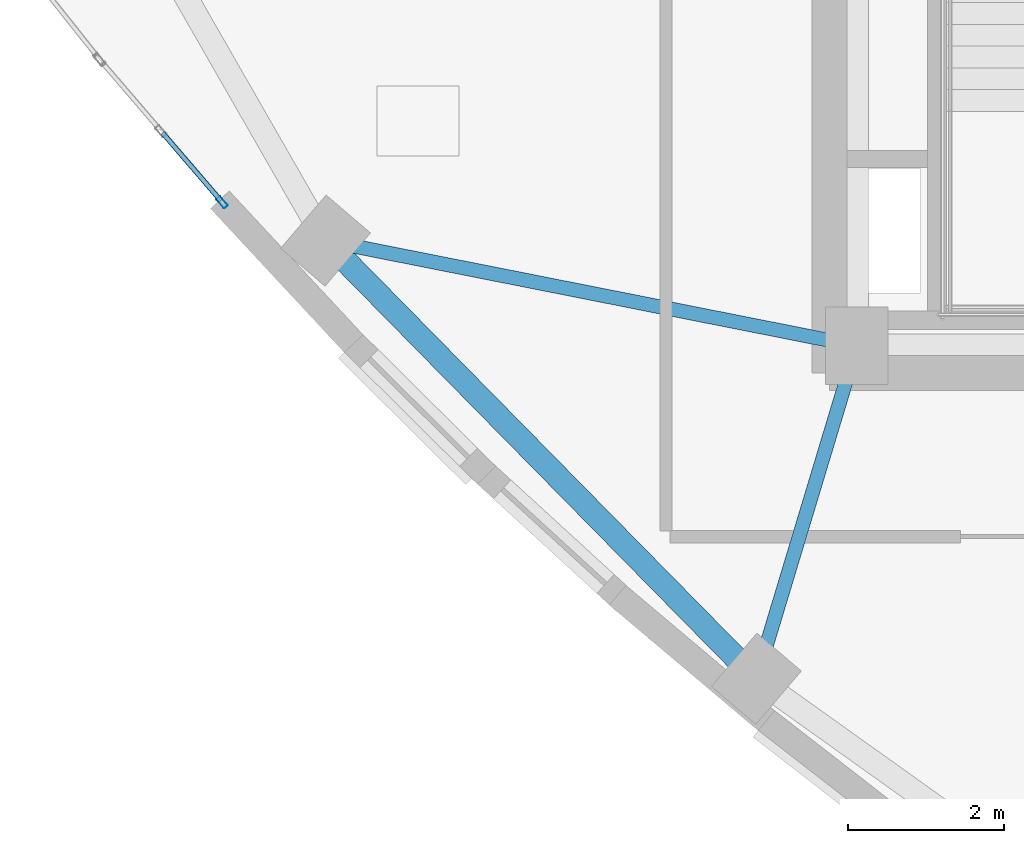
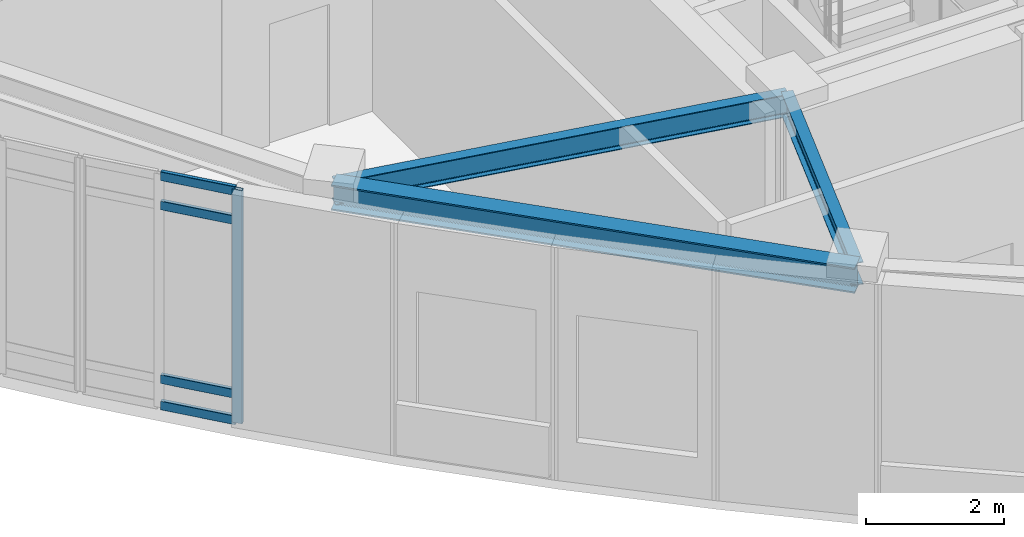
# One storey, part 2 of 19: 5 members, 3 beams, 1 element without a shape of its own.
"""IFC4 building model written with IfcOpenShell, lengths in metres."""

from ifc_helpers import new_model, si_unit, direction, frame, origin, origin_2d, place, context, subcontext, project, spatial, hollow_rectangle, i_section, extrude, material, layer, layer_set, material_profile, profile_set, type_object, element, aggregate, save


model = new_model("IFC4")

# Units and contexts
model_context = context("Model", 3, precision=1e-05, world=origin(), true_north=direction((0.0, 1.0)))
body_context = subcontext(model_context, "Body", "Model", "MODEL_VIEW")
ifc_project = project(units=[si_unit("LENGTHUNIT", "METRE"), si_unit("AREAUNIT", "SQUARE_METRE"), si_unit("VOLUMEUNIT", "CUBIC_METRE"), si_unit("PLANEANGLEUNIT", "RADIAN"), si_unit("MASSUNIT", "GRAM", prefix="KILO")], contexts=[model_context])

# Site, building, storey
site_placement = place(None, origin())
site = spatial("IfcSite", under=ifc_project, at=site_placement, CompositionType="ELEMENT")
building_placement = place(site_placement, origin())
building = spatial("IfcBuilding", under=site, at=building_placement, Name="Ndelora Gate Hotel", CompositionType="ELEMENT")
storey_placement = place(building_placement, frame((0.0, 0.0, 286.0)))
storey = spatial("IfcBuildingStorey", under=building, at=storey_placement, Name="L71", CompositionType="ELEMENT", Elevation=286.0)

# Beams
ifc_material_1 = material(Name="Steel S355", Category="steel")
ifc_material_profile_1 = material_profile(ifc_material_1, i_section(OverallWidth=0.179931640625, OverallDepth=0.39990234375, WebThickness=0.008544921875, FlangeThickness=0.013427734375, FilletRadius=0.02099609375, at=origin_2d()), Name="IPE 400")
ifc_profile_set_1 = profile_set([ifc_material_profile_1], Name="Steel S355")
beam_type_1 = type_object("IfcBeamType", Name="BM-RAD-400", PredefinedType="BEAM", material=ifc_profile_set_1)
beam_1_placement = place(storey_placement, frame((-8.0, -6.60009765625, 3.929931640625), z_axis=(-0.980943509294, 0.194293158846, 0.0), x_axis=(-0.194293158846, -0.980943509294, 0.0)))
element("IfcBeam", 1, at=beam_1_placement, inside=storey, type_object=beam_type_1, Name="L71 structural beam FB-5", PredefinedType="BEAM", context=body_context, shape_type="SweptSolid", body=[
    extrude(i_section(OverallWidth=0.179931640625, OverallDepth=0.39990234375, WebThickness=0.008544921875, FlangeThickness=0.013427734375, FilletRadius=0.02099609375, at=origin_2d()), origin(), (0.0, 0.0, 1.0), 6.955078125),
])
beam_2_placement = place(storey_placement, frame((-8.0, -6.60009765625, 3.929931640625), z_axis=(-0.288626468578, -0.957441779763, 0.0), x_axis=(0.957441779763, -0.288626468578, 0.0)))
element("IfcBeam", 2, at=beam_2_placement, inside=storey, type_object=beam_type_1, Name="L71 structural beam FB-5", PredefinedType="BEAM", context=body_context, shape_type="SweptSolid", body=[
    extrude(i_section(OverallWidth=0.179931640625, OverallDepth=0.39990234375, WebThickness=0.008544921875, FlangeThickness=0.013427734375, FilletRadius=0.02099609375, at=origin_2d()), origin(), (0.0, 0.0, 1.0), 4.46630859375),
])
ifc_material_profile_2 = material_profile(ifc_material_1, i_section(OverallWidth=0.300048828125, OverallDepth=0.449951171875, WebThickness=0.013916015625, FlangeThickness=0.02587890625, FilletRadius=0.027099609375, at=origin_2d()), Name="HEB 450")
ifc_profile_set_2 = profile_set([ifc_material_profile_2], Name="Steel S355")
beam_type_2 = type_object("IfcBeamType", Name="BM-RING-450", PredefinedType="SPANDREL", material=ifc_profile_set_2)
beam_3_placement = place(storey_placement, frame((-14.822509765625, -5.248779296875, 3.905029296875), z_axis=(0.701126845775, -0.713036567179, 0.0), x_axis=(0.713036567179, 0.701126845775, 0.0)))
element("IfcBeam", 3, at=beam_3_placement, inside=storey, type_object=beam_type_2, Name="L71 structural beam RB-5", PredefinedType="SPANDREL", context=body_context, shape_type="SweptSolid", body=[
    extrude(i_section(OverallWidth=0.300048828125, OverallDepth=0.449951171875, WebThickness=0.013916015625, FlangeThickness=0.02587890625, FilletRadius=0.027099609375, at=origin_2d()), origin(), (0.0, 0.0, 1.0), 7.892333984375),
])

# Curtain wall, members
ifc_material_2 = material(Name="Bronze Anodised Unitised Aluminium and Low-E Glass", Category="aluminium")
ifc_layer = layer(ifc_material_2, 0.219970703125)
ifc_layer_set = layer_set([ifc_layer], Name="Bronze Anodised Unitised Aluminium and Low-E Glass")
curtain_wall_type = type_object("IfcCurtainWallType", Name="CW-SYS-7", PredefinedType="NOTDEFINED", material=ifc_layer_set)
curtain_wall_placement = place(storey_placement, origin())
curtain_wall = element("IfcCurtainWall", 4, at=curtain_wall_placement, inside=storey, type_object=curtain_wall_type, Name="L71 West Peak Horizon Observatory Curtain Wall 2", PredefinedType="NOTDEFINED")
ifc_material_3 = material(Name="Bronze Anodised Aluminium 6063-T6", Category="aluminium")
ifc_material_profile_3 = material_profile(ifc_material_3, hollow_rectangle(XDim=0.06494140625, YDim=0.159912109375, WallThickness=0.00390625, InnerFilletRadius=0.00390625, OuterFilletRadius=0.008056640625, at=origin_2d()), Name="ALU 160x65x4")
ifc_profile_set_3 = profile_set([ifc_material_profile_3], Name="Bronze Anodised Aluminium 6063-T6")
member_type_1 = type_object("IfcMemberType", Name="MB-CW-MUL150", PredefinedType="MULLION", material=ifc_profile_set_3)
member_1_placement = place(storey_placement, frame((-16.151123046875, -4.755615234375, -0.00390625), z_axis=(0.0, 0.0, 1.0), x_axis=(0.75852990573, 0.651638229475, 0.0)))
member_1 = element("IfcMember", 5, at=member_1_placement, type_object=member_type_1, Name="CW7 mullion 3", PredefinedType="MULLION", context=body_context, shape_type="SweptSolid", body=[
    extrude(hollow_rectangle(XDim=0.06494140625, YDim=0.159912109375, WallThickness=0.00390625, InnerFilletRadius=0.00390625, OuterFilletRadius=0.008056640625, at=origin_2d()), origin(), (0.0, 0.0, 1.0), 4.137939453125),
])
ifc_material_profile_4 = material_profile(ifc_material_3, hollow_rectangle(XDim=0.06494140625, YDim=0.159912109375, WallThickness=0.00390625, InnerFilletRadius=0.00390625, OuterFilletRadius=0.008056640625, at=origin_2d()), Name="ALU 160x65x4")
ifc_profile_set_4 = profile_set([ifc_material_profile_4], Name="Bronze Anodised Aluminium 6063-T6")
member_type_2 = type_object("IfcMemberType", Name="MB-CW-TRN150", PredefinedType="USERDEFINED", material=ifc_profile_set_4)
member_2_placement = place(storey_placement, frame((-16.9169921875, -3.864013671875, 0.032470703125), z_axis=(0.65163111185, -0.758536020285, 0.0), x_axis=(0.758536020285, 0.65163111185, 0.0)))
member_2 = element("IfcMember", 6, at=member_2_placement, type_object=member_type_2, Name="CW7 transom 2.1", ObjectType="TRANSOM", PredefinedType="USERDEFINED", context=body_context, shape_type="SweptSolid", body=[
    extrude(hollow_rectangle(XDim=0.06494140625, YDim=0.159912109375, WallThickness=0.00390625, InnerFilletRadius=0.00390625, OuterFilletRadius=0.008056640625, at=origin_2d()), origin(), (0.0, 0.0, 1.0), 1.148681640625),
])
member_3_placement = place(storey_placement, frame((-16.9169921875, -3.864013671875, 0.5), z_axis=(0.65163111185, -0.758536020285, 0.0), x_axis=(0.758536020285, 0.65163111185, 0.0)))
member_3 = element("IfcMember", 7, at=member_3_placement, type_object=member_type_2, Name="CW7 transom 2.2", ObjectType="TRANSOM", PredefinedType="USERDEFINED", context=body_context, shape_type="SweptSolid", body=[
    extrude(hollow_rectangle(XDim=0.06494140625, YDim=0.159912109375, WallThickness=0.00390625, InnerFilletRadius=0.00390625, OuterFilletRadius=0.008056640625, at=origin_2d()), origin(), (0.0, 0.0, 1.0), 1.148681640625),
])
member_4_placement = place(storey_placement, frame((-16.9169921875, -3.864013671875, 3.580078125), z_axis=(0.65163111185, -0.758536020285, 0.0), x_axis=(0.758536020285, 0.65163111185, 0.0)))
member_4 = element("IfcMember", 8, at=member_4_placement, type_object=member_type_2, Name="CW7 transom 2.3", ObjectType="TRANSOM", PredefinedType="USERDEFINED", context=body_context, shape_type="SweptSolid", body=[
    extrude(hollow_rectangle(XDim=0.06494140625, YDim=0.159912109375, WallThickness=0.00390625, InnerFilletRadius=0.00390625, OuterFilletRadius=0.008056640625, at=origin_2d()), origin(), (0.0, 0.0, 1.0), 1.148681640625),
])
member_5_placement = place(storey_placement, frame((-16.9169921875, -3.864013671875, 4.097412109375), z_axis=(0.65163111185, -0.758536020285, 0.0), x_axis=(0.758536020285, 0.65163111185, 0.0)))
member_5 = element("IfcMember", 9, at=member_5_placement, type_object=member_type_2, Name="CW7 transom 2.4", ObjectType="TRANSOM", PredefinedType="USERDEFINED", context=body_context, shape_type="SweptSolid", body=[
    extrude(hollow_rectangle(XDim=0.06494140625, YDim=0.159912109375, WallThickness=0.00390625, InnerFilletRadius=0.00390625, OuterFilletRadius=0.008056640625, at=origin_2d()), origin(), (0.0, 0.0, 1.0), 1.148681640625),
])
aggregate(curtain_wall, [member_1, member_2, member_3, member_4, member_5])

save(model, "model.ifc")
